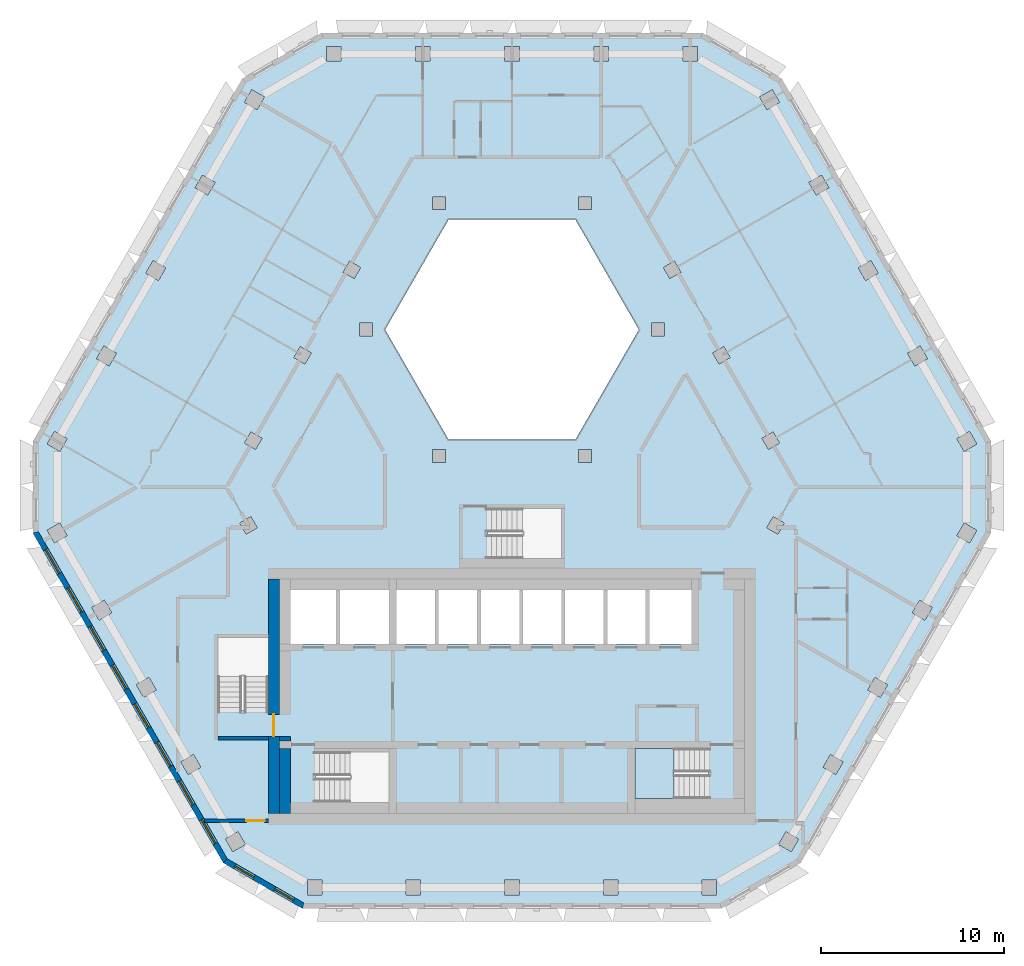
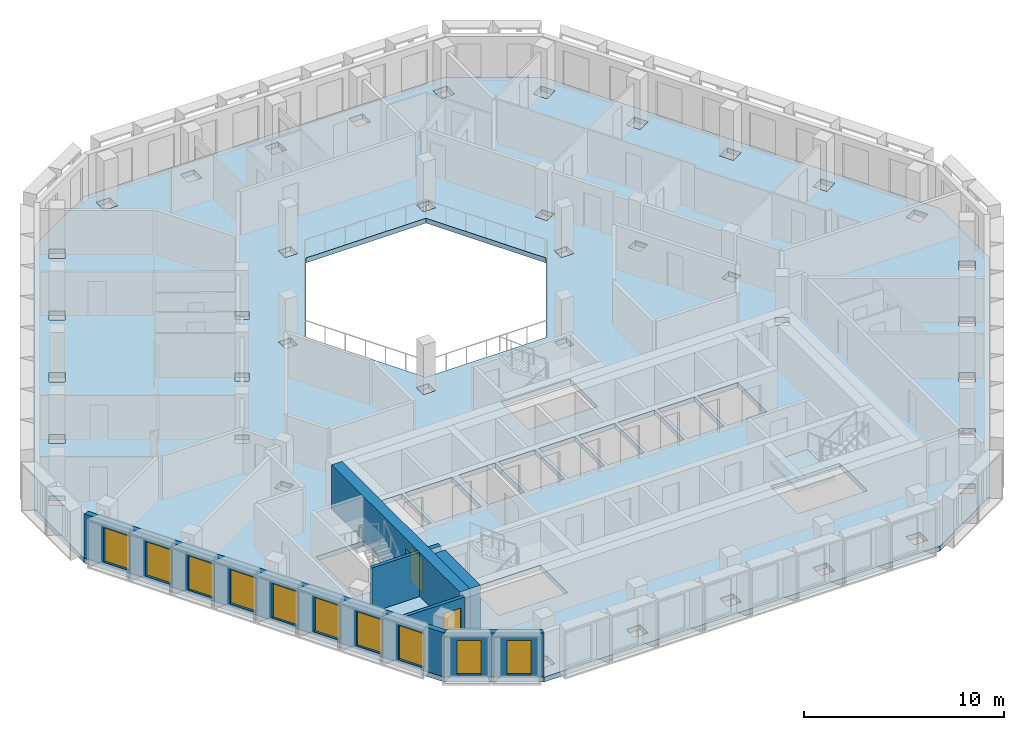
# One storey, part 2 of 17: 10 windows, 7 walls, 2 doors, 2 slabs, 12 openings, 1 element without a shape of its own.
"""IFC4 building model written with IfcOpenShell, lengths in metres."""

from ifc_helpers import new_model, si_unit, direction, frame, frame_2d, origin, place, context, subcontext, project, spatial, polyline, rectangle, outline, extrude, material, layer, layer_set, type_object, element, fill, aggregate, save


model = new_model("IFC4")

# Units and contexts
model_context = context("Model", 3, precision=1e-05, world=origin(), true_north=direction((0.0, 1.0)))
body_context = subcontext(model_context, "Body", "Model", "MODEL_VIEW")
ifc_project = project(units=[si_unit("LENGTHUNIT", "METRE"), si_unit("AREAUNIT", "SQUARE_METRE"), si_unit("VOLUMEUNIT", "CUBIC_METRE"), si_unit("PLANEANGLEUNIT", "RADIAN"), si_unit("MASSUNIT", "GRAM", prefix="KILO")], contexts=[model_context])

# Site, building, storey
site_placement = place(None, origin())
site = spatial("IfcSite", under=ifc_project, at=site_placement, CompositionType="ELEMENT")
building_placement = place(site_placement, origin())
building = spatial("IfcBuilding", under=site, at=building_placement, Name="Beryl Residences", CompositionType="ELEMENT")
storey_placement = place(building_placement, frame((0.0, 0.0, 166.199951171875)))
storey = spatial("IfcBuildingStorey", under=building, at=storey_placement, Name="L50", CompositionType="ELEMENT", Elevation=166.199951171875)

# Slab
ifc_material_1 = material(Name="Concrete C40/50", Category="concrete")
ifc_layer_1 = layer(ifc_material_1, 0.300048828125)
ifc_layer_set_1 = layer_set([ifc_layer_1], Name="SL7 PT floor slab 300 mm C40/50")
slab_type_1 = type_object("IfcSlabType", Name="SL7 PT floor slab 300 mm C40/50", PredefinedType="FLOOR", material=ifc_layer_set_1)
slab_1_placement = place(storey_placement, frame((0.0, 0.0, -0.300048828125)))
element("IfcSlab", 1, at=slab_1_placement, inside=storey, type_object=slab_type_1, Name="L50 slab 1", PredefinedType="FLOOR", context=body_context, shape_type="SweptSolid", body=[
    extrude(outline(polyline([(26.154052734375, -3.10009765625), (15.760986328125, -21.10009765625), (11.430908203125, -23.60009765625), (-11.430908203125, -23.60009765625), (-15.760986328125, -21.10009765625), (-26.154052734375, -3.10009765625), (-26.154052734375, 1.89990234375), (-14.721923828125, 21.699951171875), (-10.39208984375, 24.199951171875), (10.39208984375, 24.199951171875), (14.721923828125, 21.699951171875), (26.154052734375, 1.89990234375), (26.154052734375, -3.10009765625)]), holes=[polyline([(24.971923828125, 2.446044921875), (24.280029296875, 2.0458984375), (24.679931640625, 1.35400390625), (25.3720703125, 1.75390625), (24.971923828125, 2.446044921875)]), polyline([(24.678955078125, -2.554931640625), (24.279052734375, -3.2470703125), (24.970947265625, -3.64697265625), (25.37109375, -2.955078125), (24.678955078125, -2.554931640625)]), polyline([(22.2470703125, -6.76806640625), (21.846923828125, -7.4599609375), (22.5390625, -7.860107421875), (22.93896484375, -7.16796875), (22.2470703125, -6.76806640625)]), polyline([(22.280029296875, 7.10791015625), (21.587890625, 6.7080078125), (21.988037109375, 6.01611328125), (22.679931640625, 6.416015625), (22.280029296875, 7.10791015625)]), polyline([(19.4150390625, -11.672119140625), (20.10693359375, -12.072021484375), (20.507080078125, -11.3798828125), (19.81494140625, -10.97998046875), (19.4150390625, -11.672119140625)]), polyline([(18.89599609375, 11.37109375), (19.2958984375, 10.678955078125), (19.988037109375, 11.0791015625), (19.587890625, 11.77099609375), (18.89599609375, 11.37109375)]), polyline([(18.074951171875, -15.592041015625), (17.383056640625, -15.19189453125), (16.98291015625, -15.884033203125), (17.675048828125, -16.283935546875), (18.074951171875, -15.592041015625)]), polyline([(16.89599609375, 16.43408203125), (16.2041015625, 16.033935546875), (16.60400390625, 15.342041015625), (17.2958984375, 15.741943359375), (16.89599609375, 16.43408203125)]), polyline([(15.64306640625, -19.804931640625), (14.950927734375, -19.405029296875), (14.551025390625, -20.096923828125), (15.242919921875, -20.4970703125), (15.64306640625, -19.804931640625)]), polyline([(14.860107421875, -2.56103515625), (14.25390625, -2.2109375), (13.904052734375, -2.81689453125), (14.510009765625, -3.1669921875), (14.860107421875, -2.56103515625)]), polyline([(14.2041015625, 21.095947265625), (13.511962890625, 20.696044921875), (13.912109375, 20.00390625), (14.60400390625, 20.404052734375), (14.2041015625, 21.095947265625)]), polyline([(13.64501953125, 2.06494140625), (13.9951171875, 1.458984375), (14.60107421875, 1.80908203125), (14.2509765625, 2.4150390625), (13.64501953125, 2.06494140625)]), polyline([(11.55908203125, 7.077880859375), (10.952880859375, 6.72802734375), (11.302978515625, 6.1220703125), (11.908935546875, 6.471923828125), (11.55908203125, 7.077880859375)]), polyline([(11.1689453125, -22.050048828125), (10.368896484375, -22.050048828125), (10.368896484375, -22.85009765625), (11.1689453125, -22.85009765625), (11.1689453125, -22.050048828125)]), polyline([(6.699951171875, -14.85009765625), (6.699951171875, -17.60009765625), (10.699951171875, -17.60009765625), (10.699951171875, -14.85009765625), (6.699951171875, -14.85009765625)]), polyline([(9.327880859375, 23.449951171875), (9.327880859375, 22.64990234375), (10.1279296875, 22.64990234375), (10.1279296875, 23.449951171875), (9.327880859375, 23.449951171875)]), polyline([(7.5, -9.14990234375), (9.800048828125, -9.14990234375), (9.800048828125, -6.199951171875), (7.5, -6.199951171875), (7.5, -9.14990234375)]), polyline([(8.260986328125, 11.39111328125), (8.611083984375, 10.784912109375), (9.217041015625, 11.135009765625), (8.866943359375, 11.740966796875), (8.260986328125, 11.39111328125)]), polyline([(8.31689453125, 7.64990234375), (8.31689453125, 8.35009765625), (7.616943359375, 8.35009765625), (7.616943359375, 7.64990234375), (8.31689453125, 7.64990234375)]), polyline([(5.199951171875, -9.14990234375), (7.300048828125, -9.14990234375), (7.300048828125, -6.199951171875), (5.199951171875, -6.199951171875), (5.199951171875, -9.14990234375)]), polyline([(3.464111328125, 14.0), (-3.464111328125, 14.0), (-6.92822265625, 8.0), (-3.464111328125, 2.0), (3.464111328125, 2.0), (6.92822265625, 8.0), (3.464111328125, 14.0)]), polyline([(5.784912109375, -22.85009765625), (5.784912109375, -22.050048828125), (4.985107421875, -22.050048828125), (4.985107421875, -22.85009765625), (5.784912109375, -22.85009765625)]), polyline([(4.464111328125, 23.449951171875), (4.464111328125, 22.64990234375), (5.263916015625, 22.64990234375), (5.263916015625, 23.449951171875), (4.464111328125, 23.449951171875)]), polyline([(5.0, -9.14990234375), (5.0, -6.199951171875), (2.89990234375, -6.199951171875), (2.89990234375, -9.14990234375), (5.0, -9.14990234375)]), polyline([(4.333984375, 14.550048828125), (4.333984375, 15.25), (3.634033203125, 15.25), (3.634033203125, 14.550048828125), (4.333984375, 14.550048828125)]), polyline([(4.333984375, 1.449951171875), (3.634033203125, 1.449951171875), (3.634033203125, 0.75), (4.333984375, 0.75), (4.333984375, 1.449951171875)]), polyline([(2.699951171875, -4.5), (2.699951171875, -1.75), (-1.300048828125, -1.75), (-1.300048828125, -4.5), (2.699951171875, -4.5)]), polyline([(0.60009765625, -9.14990234375), (2.699951171875, -9.14990234375), (2.699951171875, -6.199951171875), (0.60009765625, -6.199951171875), (0.60009765625, -9.14990234375)]), polyline([(-0.39892578125, -22.050048828125), (-0.39892578125, -22.85009765625), (0.40087890625, -22.85009765625), (0.40087890625, -22.050048828125), (-0.39892578125, -22.050048828125)]), polyline([(0.39990234375, 22.64990234375), (0.39990234375, 23.449951171875), (-0.39990234375, 23.449951171875), (-0.39990234375, 22.64990234375), (0.39990234375, 22.64990234375)]), polyline([(0.39990234375, -6.199951171875), (-1.699951171875, -6.199951171875), (-1.699951171875, -9.14990234375), (0.39990234375, -9.14990234375), (0.39990234375, -6.199951171875)]), polyline([(-4.0, -9.14990234375), (-1.89990234375, -9.14990234375), (-1.89990234375, -6.199951171875), (-4.0, -6.199951171875), (-4.0, -9.14990234375)]), polyline([(-3.634033203125, 15.25), (-4.333984375, 15.25), (-4.333984375, 14.550048828125), (-3.634033203125, 14.550048828125), (-3.634033203125, 15.25)]), polyline([(-3.634033203125, 0.75), (-3.634033203125, 1.449951171875), (-4.333984375, 1.449951171875), (-4.333984375, 0.75), (-3.634033203125, 0.75)]), polyline([(-6.300048828125, -9.14990234375), (-4.199951171875, -9.14990234375), (-4.199951171875, -6.199951171875), (-6.300048828125, -6.199951171875), (-6.300048828125, -9.14990234375)]), polyline([(-5.263916015625, 23.449951171875), (-5.263916015625, 22.64990234375), (-4.464111328125, 22.64990234375), (-4.464111328125, 23.449951171875), (-5.263916015625, 23.449951171875)]), polyline([(-4.98291015625, -22.85009765625), (-4.98291015625, -22.050048828125), (-5.782958984375, -22.050048828125), (-5.782958984375, -22.85009765625), (-4.98291015625, -22.85009765625)]), polyline([(-6.699951171875, -6.199951171875), (-9.39990234375, -6.199951171875), (-9.39990234375, -9.14990234375), (-6.699951171875, -9.14990234375), (-6.699951171875, -6.199951171875)]), polyline([(-10.699951171875, -15.050048828125), (-10.699951171875, -17.800048828125), (-6.699951171875, -17.800048828125), (-6.699951171875, -15.050048828125), (-10.699951171875, -15.050048828125)]), polyline([(-7.616943359375, 7.64990234375), (-7.616943359375, 8.35009765625), (-8.31689453125, 8.35009765625), (-8.31689453125, 7.64990234375), (-7.616943359375, 7.64990234375)]), polyline([(-8.611083984375, 10.784912109375), (-8.260986328125, 11.39111328125), (-8.866943359375, 11.740966796875), (-9.217041015625, 11.135009765625), (-8.611083984375, 10.784912109375)]), polyline([(-10.1279296875, 23.449951171875), (-10.1279296875, 22.64990234375), (-9.327880859375, 22.64990234375), (-9.327880859375, 23.449951171875), (-10.1279296875, 23.449951171875)]), polyline([(-12.10009765625, -9.14990234375), (-9.60009765625, -9.14990234375), (-9.60009765625, -6.199951171875), (-12.10009765625, -6.199951171875), (-12.10009765625, -9.14990234375)]), polyline([(-11.1669921875, -22.050048828125), (-11.1669921875, -22.85009765625), (-10.366943359375, -22.85009765625), (-10.366943359375, -22.050048828125), (-11.1669921875, -22.050048828125)]), polyline([(-11.908935546875, 6.471923828125), (-11.302978515625, 6.1220703125), (-10.952880859375, 6.72802734375), (-11.55908203125, 7.077880859375), (-11.908935546875, 6.471923828125)]), polyline([(-13.300048828125, -8.800048828125), (-16.050048828125, -8.800048828125), (-16.050048828125, -12.800048828125), (-13.300048828125, -12.800048828125), (-13.300048828125, -8.800048828125)]), polyline([(-13.912109375, 20.00390625), (-13.511962890625, 20.696044921875), (-14.2041015625, 21.095947265625), (-14.60400390625, 20.404052734375), (-13.912109375, 20.00390625)]), polyline([(-13.9951171875, 1.458984375), (-13.64501953125, 2.06494140625), (-14.2509765625, 2.4150390625), (-14.60107421875, 1.80908203125), (-13.9951171875, 1.458984375)]), polyline([(-14.510986328125, -3.1650390625), (-13.905029296875, -2.81494140625), (-14.2548828125, -2.208984375), (-14.861083984375, -2.55908203125), (-14.510986328125, -3.1650390625)]), polyline([(-14.552001953125, -20.094970703125), (-14.951904296875, -19.403076171875), (-15.64404296875, -19.802978515625), (-15.243896484375, -20.4951171875), (-14.552001953125, -20.094970703125)]), polyline([(-16.60400390625, 15.342041015625), (-16.2041015625, 16.033935546875), (-16.89599609375, 16.43408203125), (-17.2958984375, 15.741943359375), (-16.60400390625, 15.342041015625)]), polyline([(-16.98388671875, -15.882080078125), (-17.384033203125, -15.18994140625), (-18.075927734375, -15.590087890625), (-17.676025390625, -16.281982421875), (-16.98388671875, -15.882080078125)]), polyline([(-18.89599609375, 11.37109375), (-19.587890625, 11.77099609375), (-19.988037109375, 11.0791015625), (-19.2958984375, 10.678955078125), (-18.89599609375, 11.37109375)]), polyline([(-20.10791015625, -12.070068359375), (-19.416015625, -11.669921875), (-19.81591796875, -10.97802734375), (-20.508056640625, -11.3779296875), (-20.10791015625, -12.070068359375)]), polyline([(-22.679931640625, 6.416015625), (-21.988037109375, 6.01611328125), (-21.587890625, 6.7080078125), (-22.280029296875, 7.10791015625), (-22.679931640625, 6.416015625)]), polyline([(-21.847900390625, -7.4580078125), (-22.248046875, -6.76611328125), (-22.93994140625, -7.166015625), (-22.5400390625, -7.85791015625), (-21.847900390625, -7.4580078125)]), polyline([(-25.3720703125, 1.75390625), (-24.679931640625, 1.35400390625), (-24.280029296875, 2.0458984375), (-24.971923828125, 2.446044921875), (-25.3720703125, 1.75390625)]), polyline([(-24.280029296875, -3.2451171875), (-24.679931640625, -2.552978515625), (-25.3720703125, -2.952880859375), (-24.971923828125, -3.64501953125), (-24.280029296875, -3.2451171875)])]), origin(), (0.0, 0.0, 1.0), 0.300048828125),
])

# Stair, slab
ifc_material_2 = material(Name="Concrete C40/50", Category="concrete")
stair_type = type_object("IfcStairType", Name="ST1 protected exit stair, half-turn, 1300 mm flights", PredefinedType="HALF_TURN_STAIR", material=ifc_material_2)
stair_placement = place(storey_placement, origin())
stair = element("IfcStair", 2, at=stair_placement, inside=storey, type_object=stair_type, Name="L50 PROTECTED EXIT STAIR ST-3", PredefinedType="HALF_TURN_STAIR")
ifc_material_3 = material(Name="Concrete C40/50", Category="concrete")
ifc_layer_2 = layer(ifc_material_3, 0.199951171875)
ifc_layer_set_2 = layer_set([ifc_layer_2], Name="SLD1 stair landing 200 mm")
slab_type_2 = type_object("IfcSlabType", Name="SLD1 stair landing 200 mm", PredefinedType="LANDING", material=ifc_layer_set_2)
slab_2_placement = place(storey_placement, frame((0.0, 0.0, 1.300048828125)))
slab_2 = element("IfcSlab", 3, at=slab_2_placement, type_object=slab_type_2, Name="ST-3 landing 1", PredefinedType="LANDING", context=body_context, shape_type="SweptSolid", body=[
    extrude(outline(polyline([(8.840087890625, -14.85009765625), (6.699951171875, -14.85009765625), (6.699951171875, -17.60009765625), (8.840087890625, -17.60009765625), (8.840087890625, -14.85009765625)])), origin(), (0.0, 0.0, 1.0), 0.199951171875),
])
aggregate(stair, [slab_2])

# Wall, openings, windows
ifc_material_4 = material(Name="Composite metal panel with mineral wool insulation")
ifc_layer_3 = layer(ifc_material_4, 0.300048828125)
ifc_layer_set_3 = layer_set([ifc_layer_3], Name="ES1 pale metal composite panel wall 300 mm")
wall_type_1 = type_object("IfcWallType", Name="ES1 pale metal composite panel wall 300 mm", PredefinedType="SOLIDWALL", material=ifc_layer_set_3)
wall_1_placement = place(storey_placement, frame((-26.02392578125, -3.02490234375, 0.0), z_axis=(0.0, 0.0, 1.0), x_axis=(0.500018670445, -0.86601462413, 0.0)))
wall_1 = element("IfcWall", 4, at=wall_1_placement, inside=storey, type_object=wall_type_1, Name="ES1 external wall L50 SW", PredefinedType="SOLIDWALL", context=body_context, shape_type="SweptSolid", body=[
    extrude(outline(polyline([(0.0, -0.14990234375), (20.784912109375, -0.14990234375), (20.70458984375, 0.14990234375), (0.080322265625, 0.14990234375), (0.0, -0.14990234375)])), origin(), (0.0, 0.0, 1.0), 2.699951171875),
])
opening_1_placement = place(wall_1_placement, frame((1.1298828125, 0.0, 0.14990234375)))
opening_1 = element("IfcOpeningElement", 5, at=opening_1_placement, cuts=wall_1, Name="Opening W1", PredefinedType="OPENING", context=body_context, shape_type="SweptSolid", body=[
    extrude(rectangle(XDim=1.5, YDim=2.10009765625, at=frame_2d((0.75, 1.050048828125))), frame((0.0, 0.159912109375, 0.0), z_axis=(0.0, -1.0, 0.0), x_axis=(1.0, 0.0, 0.0)), (0.0, 0.0, 1.0), 0.320068359375),
])
opening_2_placement = place(wall_1_placement, frame((3.56201171875, 0.0, 0.14990234375)))
opening_2 = element("IfcOpeningElement", 6, at=opening_2_placement, cuts=wall_1, Name="Opening W1", PredefinedType="OPENING", context=body_context, shape_type="SweptSolid", body=[
    extrude(rectangle(XDim=1.5, YDim=2.10009765625, at=frame_2d((0.75, 1.050048828125))), frame((0.0, 0.159912109375, 0.0), z_axis=(0.0, -1.0, 0.0), x_axis=(1.0, 0.0, 0.0)), (0.0, 0.0, 1.0), 0.320068359375),
])
opening_3_placement = place(wall_1_placement, frame((5.993896484375, 0.0, 0.14990234375)))
opening_3 = element("IfcOpeningElement", 7, at=opening_3_placement, cuts=wall_1, Name="Opening W1", PredefinedType="OPENING", context=body_context, shape_type="SweptSolid", body=[
    extrude(rectangle(XDim=1.5, YDim=2.10009765625, at=frame_2d((0.75, 1.050048828125))), frame((0.0, 0.159912109375, 0.0), z_axis=(0.0, -1.0, 0.0), x_axis=(1.0, 0.0, 0.0)), (0.0, 0.0, 1.0), 0.320068359375),
])
opening_4_placement = place(wall_1_placement, frame((8.425048828125, 0.0, 0.14990234375)))
opening_4 = element("IfcOpeningElement", 8, at=opening_4_placement, cuts=wall_1, Name="Opening W1", PredefinedType="OPENING", context=body_context, shape_type="SweptSolid", body=[
    extrude(rectangle(XDim=1.5, YDim=2.10009765625, at=frame_2d((0.75, 1.050048828125))), frame((0.0, 0.159912109375, 0.0), z_axis=(0.0, -1.0, 0.0), x_axis=(1.0, 0.0, 0.0)), (0.0, 0.0, 1.0), 0.320068359375),
])
opening_5_placement = place(wall_1_placement, frame((10.85693359375, 0.0, 0.14990234375)))
opening_5 = element("IfcOpeningElement", 9, at=opening_5_placement, cuts=wall_1, Name="Opening W1", PredefinedType="OPENING", context=body_context, shape_type="SweptSolid", body=[
    extrude(rectangle(XDim=1.5, YDim=2.10009765625, at=frame_2d((0.75, 1.050048828125))), frame((0.0, 0.159912109375, 0.0), z_axis=(0.0, -1.0, 0.0), x_axis=(1.0, 0.0, 0.0)), (0.0, 0.0, 1.0), 0.320068359375),
])
opening_6_placement = place(wall_1_placement, frame((13.2890625, 0.0, 0.14990234375)))
opening_6 = element("IfcOpeningElement", 10, at=opening_6_placement, cuts=wall_1, Name="Opening W1", PredefinedType="OPENING", context=body_context, shape_type="SweptSolid", body=[
    extrude(rectangle(XDim=1.5, YDim=2.10009765625, at=frame_2d((0.75, 1.050048828125))), frame((0.0, 0.159912109375, 0.0), z_axis=(0.0, -1.0, 0.0), x_axis=(1.0, 0.0, 0.0)), (0.0, 0.0, 1.0), 0.320068359375),
])
opening_7_placement = place(wall_1_placement, frame((15.721923828125, 0.0, 0.14990234375)))
opening_7 = element("IfcOpeningElement", 11, at=opening_7_placement, cuts=wall_1, Name="Opening W1", PredefinedType="OPENING", context=body_context, shape_type="SweptSolid", body=[
    extrude(rectangle(XDim=1.5, YDim=2.10009765625, at=frame_2d((0.75, 1.050048828125))), frame((0.0, 0.159912109375, 0.0), z_axis=(0.0, -1.0, 0.0), x_axis=(1.0, 0.0, 0.0)), (0.0, 0.0, 1.0), 0.320068359375),
])
opening_8_placement = place(wall_1_placement, frame((18.154052734375, 0.0, 0.14990234375)))
opening_8 = element("IfcOpeningElement", 12, at=opening_8_placement, cuts=wall_1, Name="Opening W1", PredefinedType="OPENING", context=body_context, shape_type="SweptSolid", body=[
    extrude(rectangle(XDim=1.5, YDim=2.10009765625, at=frame_2d((0.75, 1.050048828125))), frame((0.0, 0.159912109375, 0.0), z_axis=(0.0, -1.0, 0.0), x_axis=(1.0, 0.0, 0.0)), (0.0, 0.0, 1.0), 0.320068359375),
])
ifc_material_5 = material(Name="Aluminium and clear glass", Category="aluminium")
window_type_1 = type_object("IfcWindowType", Name="W1 cell window 1500 x 2100 mm", PartitioningType="SINGLE_PANEL", PredefinedType="WINDOW", material=ifc_material_5)
window_1_placement = place(opening_1_placement, origin())
window_1 = element("IfcWindow", 13, at=window_1_placement, inside=storey, type_object=window_type_1, Name="W1 window L50 SW 1", OverallHeight=2.10009765625, OverallWidth=1.5, PartitioningType="SINGLE_PANEL", PredefinedType="WINDOW", context=body_context, shape_type="SweptSolid", body=[
    extrude(rectangle(XDim=1.5, YDim=2.10009765625, at=frame_2d((0.75, 1.050048828125))), frame((0.0, 0.030029296875, 0.0), z_axis=(0.0, -1.0, 0.0), x_axis=(1.0, 0.0, 0.0)), (0.0, 0.0, 1.0), 0.06005859375),
])
fill(opening_1, window_1)
window_2_placement = place(opening_2_placement, origin())
window_2 = element("IfcWindow", 14, at=window_2_placement, inside=storey, type_object=window_type_1, Name="W1 window L50 SW 2", OverallHeight=2.10009765625, OverallWidth=1.5, PartitioningType="SINGLE_PANEL", PredefinedType="WINDOW", context=body_context, shape_type="SweptSolid", body=[
    extrude(rectangle(XDim=1.5, YDim=2.10009765625, at=frame_2d((0.75, 1.050048828125))), frame((0.0, 0.030029296875, 0.0), z_axis=(0.0, -1.0, 0.0), x_axis=(1.0, 0.0, 0.0)), (0.0, 0.0, 1.0), 0.06005859375),
])
fill(opening_2, window_2)
window_3_placement = place(opening_3_placement, origin())
window_3 = element("IfcWindow", 15, at=window_3_placement, inside=storey, type_object=window_type_1, Name="W1 window L50 SW 3", OverallHeight=2.10009765625, OverallWidth=1.5, PartitioningType="SINGLE_PANEL", PredefinedType="WINDOW", context=body_context, shape_type="SweptSolid", body=[
    extrude(rectangle(XDim=1.5, YDim=2.10009765625, at=frame_2d((0.75, 1.050048828125))), frame((0.0, 0.030029296875, 0.0), z_axis=(0.0, -1.0, 0.0), x_axis=(1.0, 0.0, 0.0)), (0.0, 0.0, 1.0), 0.06005859375),
])
fill(opening_3, window_3)
window_4_placement = place(opening_4_placement, origin())
window_4 = element("IfcWindow", 16, at=window_4_placement, inside=storey, type_object=window_type_1, Name="W1 window L50 SW 4", OverallHeight=2.10009765625, OverallWidth=1.5, PartitioningType="SINGLE_PANEL", PredefinedType="WINDOW", context=body_context, shape_type="SweptSolid", body=[
    extrude(rectangle(XDim=1.5, YDim=2.10009765625, at=frame_2d((0.75, 1.050048828125))), frame((0.0, 0.030029296875, 0.0), z_axis=(0.0, -1.0, 0.0), x_axis=(1.0, 0.0, 0.0)), (0.0, 0.0, 1.0), 0.06005859375),
])
fill(opening_4, window_4)
window_5_placement = place(opening_5_placement, origin())
window_5 = element("IfcWindow", 17, at=window_5_placement, inside=storey, type_object=window_type_1, Name="W1 window L50 SW 5", OverallHeight=2.10009765625, OverallWidth=1.5, PartitioningType="SINGLE_PANEL", PredefinedType="WINDOW", context=body_context, shape_type="SweptSolid", body=[
    extrude(rectangle(XDim=1.5, YDim=2.10009765625, at=frame_2d((0.75, 1.050048828125))), frame((0.0, 0.030029296875, 0.0), z_axis=(0.0, -1.0, 0.0), x_axis=(1.0, 0.0, 0.0)), (0.0, 0.0, 1.0), 0.06005859375),
])
fill(opening_5, window_5)
window_6_placement = place(opening_6_placement, origin())
window_6 = element("IfcWindow", 18, at=window_6_placement, inside=storey, type_object=window_type_1, Name="W1 window L50 SW 6", OverallHeight=2.10009765625, OverallWidth=1.5, PartitioningType="SINGLE_PANEL", PredefinedType="WINDOW", context=body_context, shape_type="SweptSolid", body=[
    extrude(rectangle(XDim=1.5, YDim=2.10009765625, at=frame_2d((0.75, 1.050048828125))), frame((0.0, 0.030029296875, 0.0), z_axis=(0.0, -1.0, 0.0), x_axis=(1.0, 0.0, 0.0)), (0.0, 0.0, 1.0), 0.06005859375),
])
fill(opening_6, window_6)
window_7_placement = place(opening_7_placement, origin())
window_7 = element("IfcWindow", 19, at=window_7_placement, inside=storey, type_object=window_type_1, Name="W1 window L50 SW 7", OverallHeight=2.10009765625, OverallWidth=1.5, PartitioningType="SINGLE_PANEL", PredefinedType="WINDOW", context=body_context, shape_type="SweptSolid", body=[
    extrude(rectangle(XDim=1.5, YDim=2.10009765625, at=frame_2d((0.75, 1.050048828125))), frame((0.0, 0.030029296875, 0.0), z_axis=(0.0, -1.0, 0.0), x_axis=(1.0, 0.0, 0.0)), (0.0, 0.0, 1.0), 0.06005859375),
])
fill(opening_7, window_7)
window_8_placement = place(opening_8_placement, origin())
window_8 = element("IfcWindow", 20, at=window_8_placement, inside=storey, type_object=window_type_1, Name="W1 window L50 SW 8", OverallHeight=2.10009765625, OverallWidth=1.5, PartitioningType="SINGLE_PANEL", PredefinedType="WINDOW", context=body_context, shape_type="SweptSolid", body=[
    extrude(rectangle(XDim=1.5, YDim=2.10009765625, at=frame_2d((0.75, 1.050048828125))), frame((0.0, 0.030029296875, 0.0), z_axis=(0.0, -1.0, 0.0), x_axis=(1.0, 0.0, 0.0)), (0.0, 0.0, 1.0), 0.06005859375),
])
fill(opening_8, window_8)

wall_2_placement = place(storey_placement, frame((-15.68603515625, -20.969970703125, 0.0), z_axis=(0.0, 0.0, 1.0), x_axis=(0.866022959057, -0.500004234368, 0.0)))
wall_2 = element("IfcWall", 21, at=wall_2_placement, inside=storey, type_object=wall_type_1, Name="ES1 external wall L50 SW-S", PredefinedType="SOLIDWALL", context=body_context, shape_type="SweptSolid", body=[
    extrude(outline(polyline([(0.0, -0.14990234375), (5.0, -0.14990234375), (4.919677734375, 0.14990234375), (0.080322265625, 0.14990234375), (0.0, -0.14990234375)])), origin(), (0.0, 0.0, 1.0), 2.699951171875),
])
opening_9_placement = place(wall_2_placement, frame((0.64990234375, 0.0, 0.14990234375)))
opening_9 = element("IfcOpeningElement", 22, at=opening_9_placement, cuts=wall_2, Name="Opening W2", PredefinedType="OPENING", context=body_context, shape_type="SweptSolid", body=[
    extrude(rectangle(XDim=1.199951171875, YDim=2.10009765625, at=frame_2d((0.60009765625, 1.050048828125))), frame((0.0, 0.159912109375, 0.0), z_axis=(0.0, -1.0, 0.0), x_axis=(1.0, 0.0, 0.0)), (0.0, 0.0, 1.0), 0.320068359375),
])
opening_10_placement = place(wall_2_placement, frame((3.14990234375, 0.0, 0.14990234375)))
opening_10 = element("IfcOpeningElement", 23, at=opening_10_placement, cuts=wall_2, Name="Opening W2", PredefinedType="OPENING", context=body_context, shape_type="SweptSolid", body=[
    extrude(rectangle(XDim=1.199951171875, YDim=2.10009765625, at=frame_2d((0.60009765625, 1.050048828125))), frame((0.0, 0.159912109375, 0.0), z_axis=(0.0, -1.0, 0.0), x_axis=(1.0, 0.0, 0.0)), (0.0, 0.0, 1.0), 0.320068359375),
])
ifc_material_6 = material(Name="Aluminium and clear glass", Category="aluminium")
window_type_2 = type_object("IfcWindowType", Name="W2 chamfer window 1200 x 2100 mm", PartitioningType="SINGLE_PANEL", PredefinedType="WINDOW", material=ifc_material_6)
window_9_placement = place(opening_9_placement, origin())
window_9 = element("IfcWindow", 24, at=window_9_placement, inside=storey, type_object=window_type_2, Name="W2 window L50 SW-S 1", OverallHeight=2.10009765625, OverallWidth=1.199951171875, PartitioningType="SINGLE_PANEL", PredefinedType="WINDOW", context=body_context, shape_type="SweptSolid", body=[
    extrude(rectangle(XDim=1.199951171875, YDim=2.10009765625, at=frame_2d((0.60009765625, 1.050048828125))), frame((0.0, 0.030029296875, 0.0), z_axis=(0.0, -1.0, 0.0), x_axis=(1.0, 0.0, 0.0)), (0.0, 0.0, 1.0), 0.06005859375),
])
fill(opening_9, window_9)
window_10_placement = place(opening_10_placement, origin())
window_10 = element("IfcWindow", 25, at=window_10_placement, inside=storey, type_object=window_type_2, Name="W2 window L50 SW-S 2", OverallHeight=2.10009765625, OverallWidth=1.199951171875, PartitioningType="SINGLE_PANEL", PredefinedType="WINDOW", context=body_context, shape_type="SweptSolid", body=[
    extrude(rectangle(XDim=1.199951171875, YDim=2.10009765625, at=frame_2d((0.60009765625, 1.050048828125))), frame((0.0, 0.030029296875, 0.0), z_axis=(0.0, -1.0, 0.0), x_axis=(1.0, 0.0, 0.0)), (0.0, 0.0, 1.0), 0.06005859375),
])
fill(opening_10, window_10)

# Wall
ifc_material_7 = material(Name="Concrete masonry", Category="masonry")
ifc_layer_4 = layer(ifc_material_7, 0.25)
ifc_layer_set_4 = layer_set([ifc_layer_4], Name="PT13-250 lobby wall 250 mm")
wall_type_2 = type_object("IfcWallType", Name="PT13-250 lobby wall 250 mm", PredefinedType="PARTITIONING", material=ifc_layer_set_4)
wall_3_placement = place(storey_placement, frame((-12.699951171875, -14.324951171875, 0.0), z_axis=(0.0, 0.0, 1.0), x_axis=(1.0, 0.0, 0.0)))
element("IfcWall", 26, at=wall_3_placement, inside=storey, type_object=wall_type_2, Name="Lobby wall 05", PredefinedType="PARTITIONING", context=body_context, shape_type="SweptSolid", body=[
    extrude(rectangle(XDim=0.599853515625, YDim=0.25, at=frame_2d((0.2998046875, 0.0))), origin(), (0.0, 0.0, 1.0), 2.699951171875),
])

# Wall, opening, door
ifc_material_8 = material(Name="Double stud gypsum board wall")
ifc_layer_5 = layer(ifc_material_8, 0.199951171875)
ifc_layer_set_5 = layer_set([ifc_layer_5], Name="PT4 corridor wall 200 mm double stud")
wall_type_3 = type_object("IfcWallType", Name="PT4 corridor wall 200 mm double stud", PredefinedType="PARTITIONING", material=ifc_layer_set_5)
wall_4_placement = place(storey_placement, frame((-16.7919921875, -18.800048828125, 0.0), z_axis=(0.0, 0.0, 1.0), x_axis=(1.0, 0.0, 0.0)))
wall_4 = element("IfcWall", 27, at=wall_4_placement, inside=storey, type_object=wall_type_3, Name="Wall PT4 L50 027", PredefinedType="PARTITIONING", context=body_context, shape_type="SweptSolid", body=[
    extrude(rectangle(XDim=3.491943359375, YDim=0.199951171875, at=frame_2d((1.74609375, 0.0))), origin(), (0.0, 0.0, 1.0), 2.699951171875),
])
opening_11_placement = place(wall_4_placement, frame((2.2919921875, 0.0, 0.0)))
opening_11 = element("IfcOpeningElement", 28, at=opening_11_placement, cuts=wall_4, Name="Opening D1441", PredefinedType="OPENING", context=body_context, shape_type="SweptSolid", body=[
    extrude(rectangle(XDim=1.0, YDim=2.10009765625, at=frame_2d((0.5, 1.050048828125))), frame((0.0, 0.10986328125, 0.0), z_axis=(0.0, -1.0, 0.0), x_axis=(1.0, 0.0, 0.0)), (0.0, 0.0, 1.0), 0.219970703125),
])
ifc_material_9 = material(Name="Timber door leaf", Category="wood")
door_type_1 = type_object("IfcDoorType", Name="D1 flat entrance door 1000 x 2100 mm", OperationType="SINGLE_SWING_LEFT", PredefinedType="DOOR", material=ifc_material_9)
door_1_placement = place(opening_11_placement, origin())
door_1 = element("IfcDoor", 29, at=door_1_placement, inside=storey, type_object=door_type_1, Name="Door D1441 L50 001", OperationType="SINGLE_SWING_RIGHT", OverallHeight=2.10009765625, OverallWidth=1.0, PredefinedType="DOOR", context=body_context, shape_type="SweptSolid", body=[
    extrude(rectangle(XDim=1.0, YDim=2.10009765625, at=frame_2d((0.5, 1.050048828125))), frame((0.0, 0.02490234375, 0.0), z_axis=(0.0, -1.0, 0.0), x_axis=(1.0, 0.0, 0.0)), (0.0, 0.0, 1.0), 0.050048828125),
])
fill(opening_11, door_1)

# Walls
ifc_material_10 = material(Name="Concrete C40/50", Category="concrete")
ifc_layer_6 = layer(ifc_material_10, 0.199951171875)
ifc_layer_set_6 = layer_set([ifc_layer_6], Name="PT5 stair enclosure wall 200 mm reinforced concrete C40/50")
wall_type_4 = type_object("IfcWallType", Name="PT5 stair enclosure wall 200 mm reinforced concrete C40/50", PredefinedType="SOLIDWALL", material=ifc_layer_set_6)
wall_5_placement = place(storey_placement, frame((-16.050048828125, -14.300048828125, 0.0), z_axis=(0.0, 0.0, 1.0), x_axis=(1.0, 0.0, 0.0)))
element("IfcWall", 30, at=wall_5_placement, inside=storey, type_object=wall_type_4, Name="Stair wall 02", PredefinedType="SOLIDWALL", context=body_context, shape_type="SweptSolid", body=[
    extrude(rectangle(XDim=2.75, YDim=0.199951171875, at=frame_2d((1.375, 0.0))), origin(), (0.0, 0.0, 1.0), 2.699951171875),
])
ifc_material_11 = material(Name="Concrete C40/50", Category="concrete")
ifc_layer_7 = layer(ifc_material_11, 0.60009765625)
ifc_layer_set_7 = layer_set([ifc_layer_7], Name="PT5-600 stair enclosure wall 600 mm")
wall_type_5 = type_object("IfcWallType", Name="PT5-600 stair enclosure wall 600 mm", PredefinedType="SOLIDWALL", material=ifc_layer_set_7)
wall_6_placement = place(storey_placement, frame((-12.39990234375, -18.39990234375, 0.0), z_axis=(0.0, 0.0, 1.0), x_axis=(0.0, 1.0, 0.0)))
element("IfcWall", 31, at=wall_6_placement, inside=storey, type_object=wall_type_5, Name="Stair wall 04", PredefinedType="SOLIDWALL", context=body_context, shape_type="SweptSolid", body=[
    extrude(rectangle(XDim=3.5498046875, YDim=0.60009765625, at=frame_2d((1.77490234375, 0.0))), origin(), (0.0, 0.0, 1.0), 2.699951171875),
])

# Wall, opening, door
ifc_material_12 = material(Name="Concrete C50/60", Category="concrete")
ifc_layer_8 = layer(ifc_material_12, 0.60009765625)
ifc_layer_set_8 = layer_set([ifc_layer_8], Name="SW4 core outer wall 600 mm C50/60")
wall_type_6 = type_object("IfcWallType", Name="SW4 core outer wall 600 mm C50/60", PredefinedType="SHEAR", material=ifc_layer_set_8)
wall_7_placement = place(storey_placement, frame((-13.0, -18.39990234375, 0.0), z_axis=(0.0, 0.0, 1.0), x_axis=(0.0, 1.0, 0.0)))
wall_7 = element("IfcWall", 32, at=wall_7_placement, inside=storey, type_object=wall_type_6, Name="Core wall W L50", PredefinedType="SHEAR", context=body_context, shape_type="SweptSolid", body=[
    extrude(rectangle(XDim=12.7998046875, YDim=0.60009765625, at=frame_2d((6.39990234375, 0.0))), origin(), (0.0, 0.0, 1.0), 2.699951171875),
])
opening_12_placement = place(wall_7_placement, frame((4.199951171875, 0.0, 0.0)))
opening_12 = element("IfcOpeningElement", 33, at=opening_12_placement, cuts=wall_7, Name="Opening SD-2", PredefinedType="OPENING", context=body_context, shape_type="SweptSolid", body=[
    extrude(rectangle(XDim=1.199951171875, YDim=2.10009765625, at=frame_2d((0.60009765625, 1.050048828125))), frame((0.0, 0.31005859375, 0.0), z_axis=(0.0, -1.0, 0.0), x_axis=(1.0, 0.0, 0.0)), (0.0, 0.0, 1.0), 0.6201171875),
])
ifc_material_13 = material(Name="Steel door leaf in steel frame", Category="steel")
door_type_2 = type_object("IfcDoorType", Name="D4 stair door 1200 x 2100 mm", OperationType="SINGLE_SWING_LEFT", PredefinedType="DOOR", material=ifc_material_13)
door_2_placement = place(opening_12_placement, origin())
door_2 = element("IfcDoor", 34, at=door_2_placement, inside=storey, type_object=door_type_2, Name="Door SD-2 L50 001", OperationType="SINGLE_SWING_RIGHT", OverallHeight=2.10009765625, OverallWidth=1.199951171875, PredefinedType="DOOR", context=body_context, shape_type="SweptSolid", body=[
    extrude(rectangle(XDim=1.199951171875, YDim=2.10009765625, at=frame_2d((0.60009765625, 1.050048828125))), frame((0.0, 0.02490234375, 0.0), z_axis=(0.0, -1.0, 0.0), x_axis=(1.0, 0.0, 0.0)), (0.0, 0.0, 1.0), 0.050048828125),
])
fill(opening_12, door_2)

save(model, "model.ifc")
